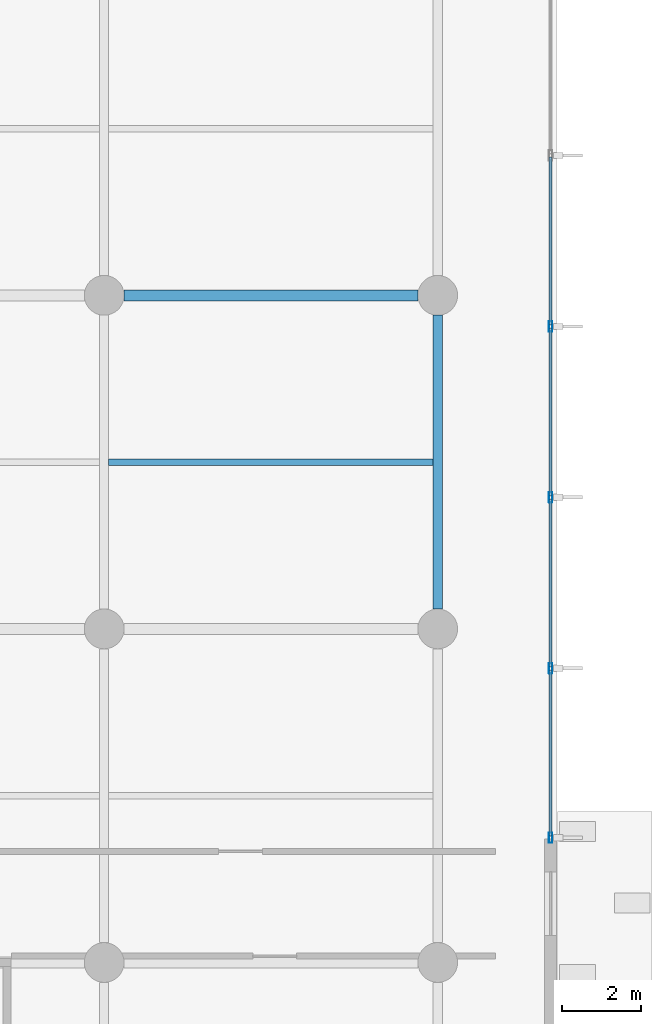
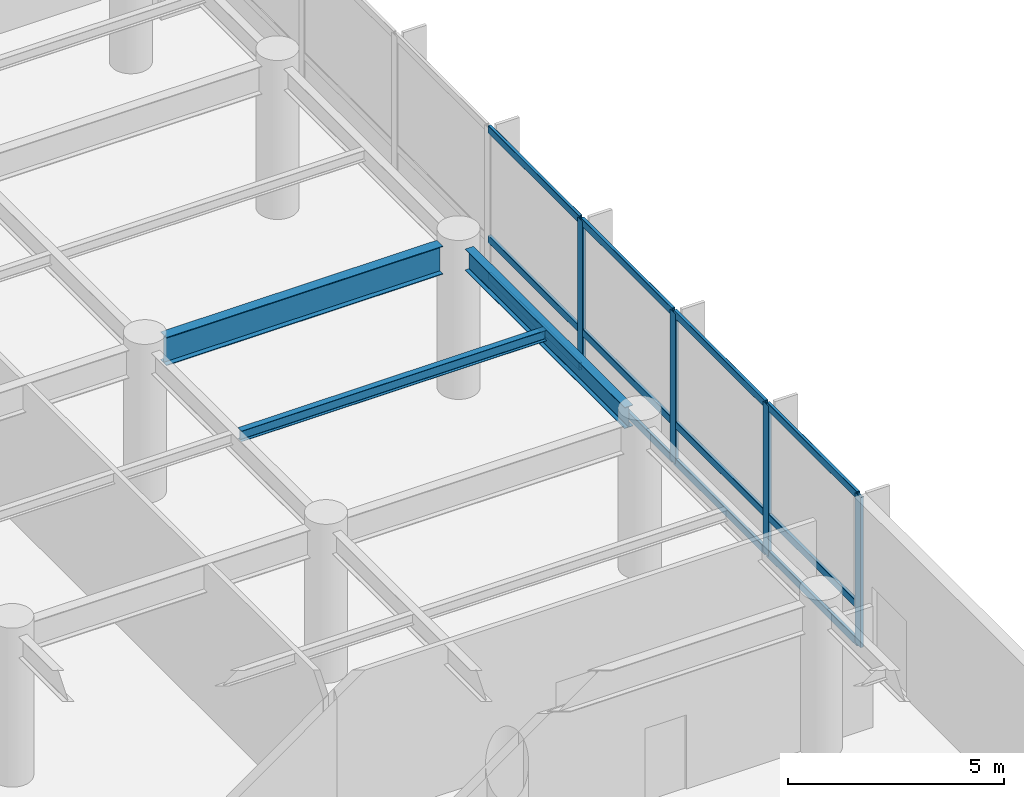
# One storey, part 9 of 26: 16 members, 3 beams, 1 element without a shape of its own.
"""IFC4 building model written with IfcOpenShell, lengths in metres."""

from ifc_helpers import new_model, si_unit, direction, frame, origin, origin_2d, place, context, subcontext, project, spatial, hollow_rectangle, i_section, extrude, material, layer, layer_set, material_profile, profile_set, type_object, element, aggregate, save


model = new_model("IFC4")

# Units and contexts
model_context = context("Model", 3, precision=1e-05, world=origin(), true_north=direction((0.0, 1.0)))
body_context = subcontext(model_context, "Body", "Model", "MODEL_VIEW")
ifc_project = project(units=[si_unit("LENGTHUNIT", "METRE"), si_unit("AREAUNIT", "SQUARE_METRE"), si_unit("VOLUMEUNIT", "CUBIC_METRE"), si_unit("PLANEANGLEUNIT", "RADIAN"), si_unit("MASSUNIT", "GRAM", prefix="KILO")], contexts=[model_context])

# Site, building, storey
site_placement = place(None, origin())
site = spatial("IfcSite", under=ifc_project, at=site_placement, CompositionType="ELEMENT")
building_placement = place(site_placement, origin())
building = spatial("IfcBuilding", under=site, at=building_placement, Name="Varnakote Quay Hospital", CompositionType="ELEMENT")
storey_placement = place(building_placement, origin())
storey = spatial("IfcBuildingStorey", under=building, at=storey_placement, Name="L00", CompositionType="ELEMENT", Elevation=0.0)

# Beams
ifc_material_1 = material(Name="Structural steel AS/NZS 3679.1 Grade 350 L0 (fy 340 MPa)", Category="steel")
ifc_material_profile_1 = material_profile(ifc_material_1, i_section(OverallWidth=0.22802734375, OverallDepth=0.60205078125, WebThickness=0.010498046875, FlangeThickness=0.014892578125, FilletRadius=0.013916015625, at=origin_2d()), Name="610UB101")
ifc_profile_set_1 = profile_set([ifc_material_profile_1], Name="Structural steel AS/NZS 3679.1 Grade 350 L0 (fy 340 MPa)")
beam_type_1 = type_object("IfcBeamType", Name="BM-STL-610UB101", PredefinedType="BEAM", material=ifc_profile_set_1)
beam_1_placement = place(storey_placement, frame((84.0, 20.89990234375, 3.948974609375), z_axis=(0.0, 1.0, 0.0), x_axis=(-1.0, 0.0, 0.0)))
element("IfcBeam", 1, at=beam_1_placement, inside=storey, type_object=beam_type_1, Name="L00 Primary Tie Beam", PredefinedType="BEAM", context=body_context, shape_type="SweptSolid", body=[
    extrude(i_section(OverallWidth=0.22802734375, OverallDepth=0.60205078125, WebThickness=0.010498046875, FlangeThickness=0.014892578125, FilletRadius=0.013916015625, at=origin_2d()), origin(), (0.0, 0.0, 1.0), 7.400146484375),
])
ifc_material_2 = material(Name="Structural steel AS/NZS 3678 Grade 350 (fy 340 MPa)", Category="steel")
ifc_material_profile_2 = material_profile(ifc_material_2, i_section(OverallWidth=0.27490234375, OverallDepth=0.800048828125, WebThickness=0.010009765625, FlangeThickness=0.02001953125, at=origin_2d()), Name="800WB146")
ifc_profile_set_2 = profile_set([ifc_material_profile_2], Name="Structural steel AS/NZS 3678 Grade 350 (fy 340 MPa)")
beam_type_2 = type_object("IfcBeamType", Name="BM-STL-800WB146", PredefinedType="BEAM", material=ifc_profile_set_2)
beam_2_placement = place(storey_placement, frame((76.10009765625, 28.800048828125, 3.85009765625), z_axis=(1.0, 0.0, 0.0), x_axis=(0.0, 1.0, 0.0)))
element("IfcBeam", 2, at=beam_2_placement, inside=storey, type_object=beam_type_2, Name="L00 Primary Floor Beam", PredefinedType="BEAM", context=body_context, shape_type="SweptSolid", body=[
    extrude(i_section(OverallWidth=0.27490234375, OverallDepth=0.800048828125, WebThickness=0.010009765625, FlangeThickness=0.02001953125, at=origin_2d()), origin(), (0.0, 0.0, 1.0), 7.39990234375),
])

# Curtain wall, members
ifc_material_3 = material(Name="Anodised aluminium 6063-T6 Bronze", Category="aluminium")
ifc_layer = layer(ifc_material_3, 0.175048828125)
ifc_layer_set = layer_set([ifc_layer], Name="Anodised aluminium 6063-T6 Bronze")
curtain_wall_type = type_object("IfcCurtainWallType", Name="CW-SYS-1", PredefinedType="NOTDEFINED", material=ifc_layer_set)
curtain_wall_placement = place(storey_placement, origin())
curtain_wall = element("IfcCurtainWall", 3, at=curtain_wall_placement, inside=storey, type_object=curtain_wall_type, Name="L00 Unitised Bronze Curtain Wall 1", PredefinedType="NOTDEFINED")
ifc_material_4 = material(Name="Anodised aluminium 6063-T6 Bronze", Category="aluminium")
ifc_material_profile_3 = material_profile(ifc_material_4, hollow_rectangle(XDim=0.0849609375, YDim=0.260009765625, WallThickness=0.0048828125, InnerFilletRadius=0.0048828125, OuterFilletRadius=0.010009765625, at=origin_2d()), Name="CW-MULL-260x85")
ifc_profile_set_3 = profile_set([ifc_material_profile_3], Name="Anodised aluminium 6063-T6 Bronze")
member_type_1 = type_object("IfcMemberType", Name="CW-MULL-260x85", PredefinedType="MULLION", material=ifc_profile_set_3)
member_1_placement = place(storey_placement, frame((86.840087890625, 15.142578125, 0.0), z_axis=(0.0, 0.0, 1.0), x_axis=(-1.0, 0.0, 0.0)))
member_1 = element("IfcMember", 4, at=member_1_placement, type_object=member_type_1, Name="-1-L00-1 mullion 1", PredefinedType="MULLION", context=body_context, shape_type="SweptSolid", body=[
    extrude(hollow_rectangle(XDim=0.0849609375, YDim=0.260009765625, WallThickness=0.0048828125, InnerFilletRadius=0.0048828125, OuterFilletRadius=0.010009765625, at=origin_2d()), origin(), (0.0, 0.0, 1.0), 4.25),
])
member_2_placement = place(storey_placement, frame((86.840087890625, 19.40576171875, 0.0), z_axis=(0.0, 0.0, 1.0), x_axis=(-1.0, 0.0, 0.0)))
member_2 = element("IfcMember", 5, at=member_2_placement, type_object=member_type_1, Name="-1-L00-1 mullion 2", PredefinedType="MULLION", context=body_context, shape_type="SweptSolid", body=[
    extrude(hollow_rectangle(XDim=0.0849609375, YDim=0.260009765625, WallThickness=0.0048828125, InnerFilletRadius=0.0048828125, OuterFilletRadius=0.010009765625, at=origin_2d()), origin(), (0.0, 0.0, 1.0), 4.25),
])
member_3_placement = place(storey_placement, frame((86.840087890625, 23.71142578125, 0.0), z_axis=(0.0, 0.0, 1.0), x_axis=(-1.0, 0.0, 0.0)))
member_3 = element("IfcMember", 6, at=member_3_placement, type_object=member_type_1, Name="-1-L00-1 mullion 3", PredefinedType="MULLION", context=body_context, shape_type="SweptSolid", body=[
    extrude(hollow_rectangle(XDim=0.0849609375, YDim=0.260009765625, WallThickness=0.0048828125, InnerFilletRadius=0.0048828125, OuterFilletRadius=0.010009765625, at=origin_2d()), origin(), (0.0, 0.0, 1.0), 4.25),
])
member_4_placement = place(storey_placement, frame((86.840087890625, 28.01708984375, 0.0), z_axis=(0.0, 0.0, 1.0), x_axis=(-1.0, 0.0, 0.0)))
member_4 = element("IfcMember", 7, at=member_4_placement, type_object=member_type_1, Name="-1-L00-1 mullion 4", PredefinedType="MULLION", context=body_context, shape_type="SweptSolid", body=[
    extrude(hollow_rectangle(XDim=0.0849609375, YDim=0.260009765625, WallThickness=0.0048828125, InnerFilletRadius=0.0048828125, OuterFilletRadius=0.010009765625, at=origin_2d()), origin(), (0.0, 0.0, 1.0), 4.25),
])
ifc_material_5 = material(Name="Anodised aluminium 6063-T6 Bronze", Category="aluminium")
ifc_material_profile_4 = material_profile(ifc_material_5, hollow_rectangle(XDim=0.0849609375, YDim=0.2099609375, WallThickness=0.00439453125, InnerFilletRadius=0.00439453125, OuterFilletRadius=0.009033203125, at=origin_2d()), Name="CW-TRAN-210x85")
ifc_profile_set_4 = profile_set([ifc_material_profile_4], Name="Anodised aluminium 6063-T6 Bronze")
member_type_2 = type_object("IfcMemberType", Name="CW-TRAN-210x85", PredefinedType="USERDEFINED", material=ifc_profile_set_4)
member_5_placement = place(storey_placement, frame((86.840087890625, 15.18505859375, 0.04248046875), z_axis=(0.0, 1.0, 0.0), x_axis=(-1.0, 0.0, 0.0)))
member_5 = element("IfcMember", 8, at=member_5_placement, type_object=member_type_2, Name="-1-L00-1 transom 1.1", ObjectType="TRANSOM", PredefinedType="USERDEFINED", context=body_context, shape_type="SweptSolid", body=[
    extrude(hollow_rectangle(XDim=0.0849609375, YDim=0.2099609375, WallThickness=0.00439453125, InnerFilletRadius=0.00439453125, OuterFilletRadius=0.009033203125, at=origin_2d()), origin(), (0.0, 0.0, 1.0), 4.17822265625),
])
member_6_placement = place(storey_placement, frame((86.840087890625, 15.18505859375, 1.10009765625), z_axis=(0.0, 1.0, 0.0), x_axis=(-1.0, 0.0, 0.0)))
member_6 = element("IfcMember", 9, at=member_6_placement, type_object=member_type_2, Name="-1-L00-1 transom 1.2", ObjectType="TRANSOM", PredefinedType="USERDEFINED", context=body_context, shape_type="SweptSolid", body=[
    extrude(hollow_rectangle(XDim=0.0849609375, YDim=0.2099609375, WallThickness=0.00439453125, InnerFilletRadius=0.00439453125, OuterFilletRadius=0.009033203125, at=origin_2d()), origin(), (0.0, 0.0, 1.0), 4.17822265625),
])
member_7_placement = place(storey_placement, frame((86.840087890625, 15.18505859375, 4.20751953125), z_axis=(0.0, 1.0, 0.0), x_axis=(-1.0, 0.0, 0.0)))
member_7 = element("IfcMember", 10, at=member_7_placement, type_object=member_type_2, Name="-1-L00-1 transom 1.3", ObjectType="TRANSOM", PredefinedType="USERDEFINED", context=body_context, shape_type="SweptSolid", body=[
    extrude(hollow_rectangle(XDim=0.0849609375, YDim=0.2099609375, WallThickness=0.00439453125, InnerFilletRadius=0.00439453125, OuterFilletRadius=0.009033203125, at=origin_2d()), origin(), (0.0, 0.0, 1.0), 4.17822265625),
])
member_8_placement = place(storey_placement, frame((86.840087890625, 19.4482421875, 0.04248046875), z_axis=(0.0, 1.0, 0.0), x_axis=(-1.0, 0.0, 0.0)))
member_8 = element("IfcMember", 11, at=member_8_placement, type_object=member_type_2, Name="-1-L00-1 transom 2.1", ObjectType="TRANSOM", PredefinedType="USERDEFINED", context=body_context, shape_type="SweptSolid", body=[
    extrude(hollow_rectangle(XDim=0.0849609375, YDim=0.2099609375, WallThickness=0.00439453125, InnerFilletRadius=0.00439453125, OuterFilletRadius=0.009033203125, at=origin_2d()), origin(), (0.0, 0.0, 1.0), 4.220703125),
])
member_9_placement = place(storey_placement, frame((86.840087890625, 19.4482421875, 1.10009765625), z_axis=(0.0, 1.0, 0.0), x_axis=(-1.0, 0.0, 0.0)))
member_9 = element("IfcMember", 12, at=member_9_placement, type_object=member_type_2, Name="-1-L00-1 transom 2.2", ObjectType="TRANSOM", PredefinedType="USERDEFINED", context=body_context, shape_type="SweptSolid", body=[
    extrude(hollow_rectangle(XDim=0.0849609375, YDim=0.2099609375, WallThickness=0.00439453125, InnerFilletRadius=0.00439453125, OuterFilletRadius=0.009033203125, at=origin_2d()), origin(), (0.0, 0.0, 1.0), 4.220703125),
])
member_10_placement = place(storey_placement, frame((86.840087890625, 19.4482421875, 4.20751953125), z_axis=(0.0, 1.0, 0.0), x_axis=(-1.0, 0.0, 0.0)))
member_10 = element("IfcMember", 13, at=member_10_placement, type_object=member_type_2, Name="-1-L00-1 transom 2.3", ObjectType="TRANSOM", PredefinedType="USERDEFINED", context=body_context, shape_type="SweptSolid", body=[
    extrude(hollow_rectangle(XDim=0.0849609375, YDim=0.2099609375, WallThickness=0.00439453125, InnerFilletRadius=0.00439453125, OuterFilletRadius=0.009033203125, at=origin_2d()), origin(), (0.0, 0.0, 1.0), 4.220703125),
])
member_11_placement = place(storey_placement, frame((86.840087890625, 23.75390625, 0.04248046875), z_axis=(0.0, 1.0, 0.0), x_axis=(-1.0, 0.0, 0.0)))
member_11 = element("IfcMember", 14, at=member_11_placement, type_object=member_type_2, Name="-1-L00-1 transom 3.1", ObjectType="TRANSOM", PredefinedType="USERDEFINED", context=body_context, shape_type="SweptSolid", body=[
    extrude(hollow_rectangle(XDim=0.0849609375, YDim=0.2099609375, WallThickness=0.00439453125, InnerFilletRadius=0.00439453125, OuterFilletRadius=0.009033203125, at=origin_2d()), origin(), (0.0, 0.0, 1.0), 4.220703125),
])
member_12_placement = place(storey_placement, frame((86.840087890625, 23.75390625, 1.10009765625), z_axis=(0.0, 1.0, 0.0), x_axis=(-1.0, 0.0, 0.0)))
member_12 = element("IfcMember", 15, at=member_12_placement, type_object=member_type_2, Name="-1-L00-1 transom 3.2", ObjectType="TRANSOM", PredefinedType="USERDEFINED", context=body_context, shape_type="SweptSolid", body=[
    extrude(hollow_rectangle(XDim=0.0849609375, YDim=0.2099609375, WallThickness=0.00439453125, InnerFilletRadius=0.00439453125, OuterFilletRadius=0.009033203125, at=origin_2d()), origin(), (0.0, 0.0, 1.0), 4.220703125),
])
member_13_placement = place(storey_placement, frame((86.840087890625, 23.75390625, 4.20751953125), z_axis=(0.0, 1.0, 0.0), x_axis=(-1.0, 0.0, 0.0)))
member_13 = element("IfcMember", 16, at=member_13_placement, type_object=member_type_2, Name="-1-L00-1 transom 3.3", ObjectType="TRANSOM", PredefinedType="USERDEFINED", context=body_context, shape_type="SweptSolid", body=[
    extrude(hollow_rectangle(XDim=0.0849609375, YDim=0.2099609375, WallThickness=0.00439453125, InnerFilletRadius=0.00439453125, OuterFilletRadius=0.009033203125, at=origin_2d()), origin(), (0.0, 0.0, 1.0), 4.220703125),
])
member_14_placement = place(storey_placement, frame((86.840087890625, 28.0595703125, 0.04248046875), z_axis=(0.0, 1.0, 0.0), x_axis=(-1.0, 0.0, 0.0)))
member_14 = element("IfcMember", 17, at=member_14_placement, type_object=member_type_2, Name="-1-L00-1 transom 4.1", ObjectType="TRANSOM", PredefinedType="USERDEFINED", context=body_context, shape_type="SweptSolid", body=[
    extrude(hollow_rectangle(XDim=0.0849609375, YDim=0.2099609375, WallThickness=0.00439453125, InnerFilletRadius=0.00439453125, OuterFilletRadius=0.009033203125, at=origin_2d()), origin(), (0.0, 0.0, 1.0), 4.220703125),
])
member_15_placement = place(storey_placement, frame((86.840087890625, 28.0595703125, 1.10009765625), z_axis=(0.0, 1.0, 0.0), x_axis=(-1.0, 0.0, 0.0)))
member_15 = element("IfcMember", 18, at=member_15_placement, type_object=member_type_2, Name="-1-L00-1 transom 4.2", ObjectType="TRANSOM", PredefinedType="USERDEFINED", context=body_context, shape_type="SweptSolid", body=[
    extrude(hollow_rectangle(XDim=0.0849609375, YDim=0.2099609375, WallThickness=0.00439453125, InnerFilletRadius=0.00439453125, OuterFilletRadius=0.009033203125, at=origin_2d()), origin(), (0.0, 0.0, 1.0), 4.220703125),
])
member_16_placement = place(storey_placement, frame((86.840087890625, 28.0595703125, 4.20751953125), z_axis=(0.0, 1.0, 0.0), x_axis=(-1.0, 0.0, 0.0)))
member_16 = element("IfcMember", 19, at=member_16_placement, type_object=member_type_2, Name="-1-L00-1 transom 4.3", ObjectType="TRANSOM", PredefinedType="USERDEFINED", context=body_context, shape_type="SweptSolid", body=[
    extrude(hollow_rectangle(XDim=0.0849609375, YDim=0.2099609375, WallThickness=0.00439453125, InnerFilletRadius=0.00439453125, OuterFilletRadius=0.009033203125, at=origin_2d()), origin(), (0.0, 0.0, 1.0), 4.220703125),
])
aggregate(curtain_wall, [member_1, member_2, member_3, member_4, member_5, member_6, member_7, member_8, member_9, member_10, member_11, member_12, member_13, member_14, member_15, member_16])

# Beam
ifc_material_6 = material(Name="Structural steel AS/NZS 3679.1 Grade 350 L0 (fy 340 MPa)", Category="steel")
ifc_material_profile_5 = material_profile(ifc_material_6, i_section(OverallWidth=0.1650390625, OverallDepth=0.303955078125, WebThickness=0.006103515625, FlangeThickness=0.01025390625, FilletRadius=0.011474609375, at=origin_2d()), Name="310UB40.4")
ifc_profile_set_5 = profile_set([ifc_material_profile_5], Name="Structural steel AS/NZS 3679.1 Grade 350 L0 (fy 340 MPa)")
beam_type_3 = type_object("IfcBeamType", Name="JST-STL-310UB40-4", PredefinedType="JOIST", material=ifc_profile_set_5)
beam_3_placement = place(storey_placement, frame((75.714111328125, 24.60009765625, 4.097900390625), z_axis=(1.0, 0.0, 0.0), x_axis=(0.0, 1.0, 0.0)))
element("IfcBeam", 20, at=beam_3_placement, inside=storey, type_object=beam_type_3, Name="L00 Composite Floor Joist", PredefinedType="JOIST", context=body_context, shape_type="SweptSolid", body=[
    extrude(i_section(OverallWidth=0.1650390625, OverallDepth=0.303955078125, WebThickness=0.006103515625, FlangeThickness=0.01025390625, FilletRadius=0.011474609375, at=origin_2d()), origin(), (0.0, 0.0, 1.0), 8.171875),
])

save(model, "model.ifc")
